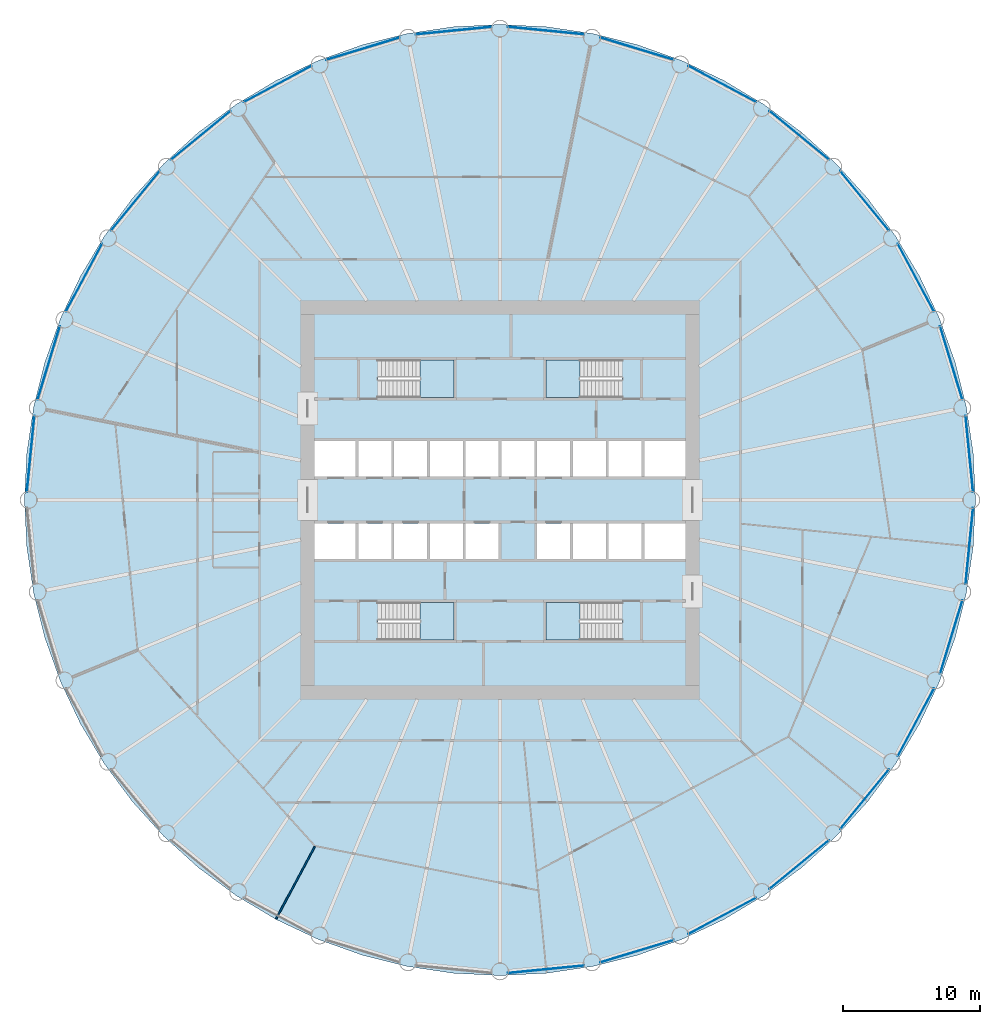
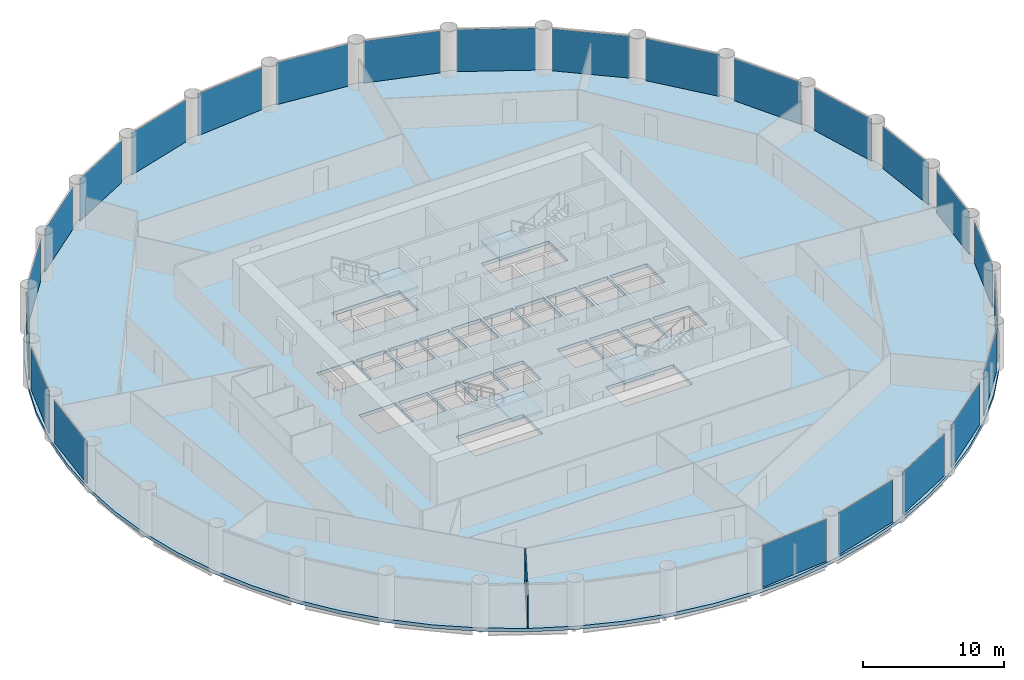
# One storey, part 3 of 9: 24 plates, 5 slabs, 1 wall, 28 elements without a shape of their own.
"""IFC4 building model written with IfcOpenShell, lengths in metres."""

from ifc_helpers import new_model, si_unit, direction, frame, frame_2d, origin, origin_2d, place, context, subcontext, project, spatial, polyline, rectangle, outline, extrude, material, layer, layer_set, type_object, element, aggregate, save


model = new_model("IFC4")

# Units and contexts
model_context = context("Model", 3, precision=1e-05, world=origin(), true_north=direction((0.0, 1.0)))
body_context = subcontext(model_context, "Body", "Model", "MODEL_VIEW")
ifc_project = project(units=[si_unit("LENGTHUNIT", "METRE"), si_unit("AREAUNIT", "SQUARE_METRE"), si_unit("VOLUMEUNIT", "CUBIC_METRE"), si_unit("PLANEANGLEUNIT", "RADIAN"), si_unit("MASSUNIT", "GRAM", prefix="KILO")], contexts=[model_context])

# Site, building, storey
site_placement = place(None, origin())
site = spatial("IfcSite", under=ifc_project, at=site_placement, CompositionType="ELEMENT")
building_placement = place(site_placement, origin())
building = spatial("IfcBuilding", under=site, at=building_placement, Name="Corvane Civic Tower", CompositionType="ELEMENT")
storey_placement = place(building_placement, frame((0.0, 0.0, 102.5)))
storey = spatial("IfcBuildingStorey", under=building, at=storey_placement, Name="L23", CompositionType="ELEMENT", Elevation=102.5)

# Slab
ifc_material_1 = material(Name="Concrete C40/50", Category="concrete")
ifc_layer_1 = layer(ifc_material_1, 0.300048828125)
ifc_layer_set_1 = layer_set([ifc_layer_1], Name="Concrete C40/50")
slab_type_1 = type_object("IfcSlabType", Name="FLOOR SLAB 300", PredefinedType="FLOOR", material=ifc_layer_set_1)
slab_1_placement = place(storey_placement, frame((0.0, 0.0, -0.300048828125)))
element("IfcSlab", 1, at=slab_1_placement, inside=storey, type_object=slab_type_1, Name="SLB-L23", PredefinedType="FLOOR", context=body_context, shape_type="SweptSolid", body=[
    extrude(outline(polyline([(0.0, 34.60009765625), (-3.391357421875, 34.433349609375), (-6.750244140625, 33.93505859375), (-10.0439453125, 33.110107421875), (-13.240966796875, 31.96630859375), (-16.310302734375, 30.514404296875), (-19.22265625, 28.768798828125), (-21.949951171875, 26.74609375), (-24.4658203125, 24.4658203125), (-26.74609375, 21.949951171875), (-28.768798828125, 19.22265625), (-30.514404296875, 16.310302734375), (-31.96630859375, 13.240966796875), (-33.110107421875, 10.0439453125), (-33.93505859375, 6.750244140625), (-34.433349609375, 3.391357421875), (-34.60009765625, 0.0), (-34.433349609375, -3.391357421875), (-33.93505859375, -6.750244140625), (-33.110107421875, -10.0439453125), (-31.96630859375, -13.240966796875), (-30.514404296875, -16.310302734375), (-28.768798828125, -19.22265625), (-26.74609375, -21.949951171875), (-24.4658203125, -24.4658203125), (-21.949951171875, -26.74609375), (-19.22265625, -28.768798828125), (-16.310302734375, -30.514404296875), (-13.240966796875, -31.96630859375), (-10.0439453125, -33.110107421875), (-6.750244140625, -33.93505859375), (-3.391357421875, -34.433349609375), (0.0, -34.60009765625), (3.391357421875, -34.433349609375), (6.750244140625, -33.93505859375), (10.0439453125, -33.110107421875), (13.240966796875, -31.96630859375), (16.310302734375, -30.514404296875), (19.22265625, -28.768798828125), (21.949951171875, -26.74609375), (24.4658203125, -24.4658203125), (26.74609375, -21.949951171875), (28.768798828125, -19.22265625), (30.514404296875, -16.310302734375), (31.96630859375, -13.240966796875), (33.110107421875, -10.0439453125), (33.93505859375, -6.750244140625), (34.433349609375, -3.391357421875), (34.60009765625, 0.0), (34.433349609375, 3.391357421875), (33.93505859375, 6.750244140625), (33.110107421875, 10.0439453125), (31.96630859375, 13.240966796875), (30.514404296875, 16.310302734375), (28.768798828125, 19.22265625), (26.74609375, 21.949951171875), (24.4658203125, 24.4658203125), (21.949951171875, 26.74609375), (19.22265625, 28.768798828125), (16.310302734375, 30.514404296875), (13.240966796875, 31.96630859375), (10.0439453125, 33.110107421875), (6.750244140625, 33.93505859375), (3.391357421875, 34.433349609375), (0.0, 34.60009765625)]), holes=[polyline([(-13.5, 4.300048828125), (-10.5, 4.300048828125), (-10.5, 1.699951171875), (-13.5, 1.699951171875), (-13.5, 4.300048828125)]), polyline([(-7.89990234375, 1.699951171875), (-10.300048828125, 1.699951171875), (-10.300048828125, 4.300048828125), (-7.89990234375, 4.300048828125), (-7.89990234375, 1.699951171875)]), polyline([(-7.699951171875, 4.300048828125), (-5.300048828125, 4.300048828125), (-5.300048828125, 1.699951171875), (-7.699951171875, 1.699951171875), (-7.699951171875, 4.300048828125)]), polyline([(-5.10009765625, 4.300048828125), (-2.699951171875, 4.300048828125), (-2.699951171875, 1.699951171875), (-5.10009765625, 1.699951171875), (-5.10009765625, 4.300048828125)]), polyline([(-2.5, 4.300048828125), (-0.10009765625, 4.300048828125), (-0.10009765625, 1.699951171875), (-2.5, 1.699951171875), (-2.5, 4.300048828125)]), polyline([(2.5, 1.699951171875), (0.10009765625, 1.699951171875), (0.10009765625, 4.300048828125), (2.5, 4.300048828125), (2.5, 1.699951171875)]), polyline([(5.10009765625, 1.699951171875), (2.699951171875, 1.699951171875), (2.699951171875, 4.300048828125), (5.10009765625, 4.300048828125), (5.10009765625, 1.699951171875)]), polyline([(5.300048828125, 4.300048828125), (7.699951171875, 4.300048828125), (7.699951171875, 1.699951171875), (5.300048828125, 1.699951171875), (5.300048828125, 4.300048828125)]), polyline([(7.89990234375, 4.300048828125), (10.300048828125, 4.300048828125), (10.300048828125, 1.699951171875), (7.89990234375, 1.699951171875), (7.89990234375, 4.300048828125)]), polyline([(13.5, 1.699951171875), (10.5, 1.699951171875), (10.5, 4.300048828125), (13.5, 4.300048828125), (13.5, 1.699951171875)]), polyline([(-13.5, -1.699951171875), (-10.5, -1.699951171875), (-10.5, -4.300048828125), (-13.5, -4.300048828125), (-13.5, -1.699951171875)]), polyline([(-10.300048828125, -1.699951171875), (-7.89990234375, -1.699951171875), (-7.89990234375, -4.300048828125), (-10.300048828125, -4.300048828125), (-10.300048828125, -1.699951171875)]), polyline([(-7.699951171875, -1.699951171875), (-5.300048828125, -1.699951171875), (-5.300048828125, -4.300048828125), (-7.699951171875, -4.300048828125), (-7.699951171875, -1.699951171875)]), polyline([(-5.10009765625, -1.699951171875), (-2.699951171875, -1.699951171875), (-2.699951171875, -4.300048828125), (-5.10009765625, -4.300048828125), (-5.10009765625, -1.699951171875)]), polyline([(-2.5, -1.699951171875), (-0.10009765625, -1.699951171875), (-0.10009765625, -4.300048828125), (-2.5, -4.300048828125), (-2.5, -1.699951171875)]), polyline([(2.699951171875, -1.699951171875), (5.10009765625, -1.699951171875), (5.10009765625, -4.300048828125), (2.699951171875, -4.300048828125), (2.699951171875, -1.699951171875)]), polyline([(5.300048828125, -4.300048828125), (5.300048828125, -1.699951171875), (7.699951171875, -1.699951171875), (7.699951171875, -4.300048828125), (5.300048828125, -4.300048828125)]), polyline([(7.89990234375, -4.300048828125), (7.89990234375, -1.699951171875), (10.300048828125, -1.699951171875), (10.300048828125, -4.300048828125), (7.89990234375, -4.300048828125)]), polyline([(13.5, -4.300048828125), (10.5, -4.300048828125), (10.5, -1.699951171875), (13.5, -1.699951171875), (13.5, -4.300048828125)]), polyline([(8.889892578125, 10.199951171875), (8.889892578125, 7.449951171875), (3.35009765625, 7.449951171875), (3.35009765625, 10.199951171875), (8.889892578125, 10.199951171875)]), polyline([(-8.889892578125, 7.449951171875), (-8.889892578125, 10.199951171875), (-3.35009765625, 10.199951171875), (-3.35009765625, 7.449951171875), (-8.889892578125, 7.449951171875)]), polyline([(8.889892578125, -7.449951171875), (8.889892578125, -10.199951171875), (3.35009765625, -10.199951171875), (3.35009765625, -7.449951171875), (8.889892578125, -7.449951171875)]), polyline([(-8.889892578125, -10.199951171875), (-8.889892578125, -7.449951171875), (-3.35009765625, -7.449951171875), (-3.35009765625, -10.199951171875), (-8.889892578125, -10.199951171875)])]), origin(), (0.0, 0.0, 1.0), 0.300048828125),
])

# Stair, slab
ifc_material_2 = material(Name="Concrete C40/50", Category="concrete")
stair_type = type_object("IfcStairType", Name="ST-STAIR-HALFTURN", PredefinedType="HALF_TURN_STAIR", material=ifc_material_2)
stair_1_placement = place(storey_placement, origin())
stair_1 = element("IfcStair", 2, at=stair_1_placement, inside=storey, type_object=stair_type, Name="L23 Exit stair ST1", PredefinedType="HALF_TURN_STAIR")
ifc_material_3 = material(Name="Concrete C40/50", Category="concrete")
ifc_layer_2 = layer(ifc_material_3, 0.199951171875)
ifc_layer_set_2 = layer_set([ifc_layer_2], Name="Concrete C40/50")
slab_type_2 = type_object("IfcSlabType", Name="ST-LANDING-RC", PredefinedType="LANDING", material=ifc_layer_set_2)
slab_2_placement = place(storey_placement, frame((0.0, 0.0, 1.800048828125)))
slab_2 = element("IfcSlab", 3, at=slab_2_placement, type_object=slab_type_2, Name="ST1 landing 1", PredefinedType="LANDING", context=body_context, shape_type="SweptSolid", body=[
    extrude(outline(polyline([(5.820068359375, 10.199951171875), (3.35009765625, 10.199951171875), (3.35009765625, 7.449951171875), (5.820068359375, 7.449951171875), (5.820068359375, 10.199951171875)])), origin(), (0.0, 0.0, 1.0), 0.199951171875),
])
aggregate(stair_1, [slab_2])

stair_2_placement = place(storey_placement, origin())
stair_2 = element("IfcStair", 4, at=stair_2_placement, inside=storey, type_object=stair_type, Name="L23 Exit stair ST2", PredefinedType="HALF_TURN_STAIR")
slab_3_placement = place(storey_placement, frame((0.0, 0.0, 1.800048828125)))
slab_3 = element("IfcSlab", 5, at=slab_3_placement, type_object=slab_type_2, Name="ST2 landing 1", PredefinedType="LANDING", context=body_context, shape_type="SweptSolid", body=[
    extrude(outline(polyline([(5.820068359375, -7.449951171875), (3.35009765625, -7.449951171875), (3.35009765625, -10.199951171875), (5.820068359375, -10.199951171875), (5.820068359375, -7.449951171875)])), origin(), (0.0, 0.0, 1.0), 0.199951171875),
])
aggregate(stair_2, [slab_3])

stair_3_placement = place(storey_placement, origin())
stair_3 = element("IfcStair", 6, at=stair_3_placement, inside=storey, type_object=stair_type, Name="L23 Exit stair ST3", PredefinedType="HALF_TURN_STAIR")
slab_4_placement = place(storey_placement, frame((0.0, 0.0, 1.800048828125)))
slab_4 = element("IfcSlab", 7, at=slab_4_placement, type_object=slab_type_2, Name="ST3 landing 1", PredefinedType="LANDING", context=body_context, shape_type="SweptSolid", body=[
    extrude(outline(polyline([(-5.820068359375, -10.199951171875), (-3.35009765625, -10.199951171875), (-3.35009765625, -7.449951171875), (-5.820068359375, -7.449951171875), (-5.820068359375, -10.199951171875)])), origin(), (0.0, 0.0, 1.0), 0.199951171875),
])
aggregate(stair_3, [slab_4])

stair_4_placement = place(storey_placement, origin())
stair_4 = element("IfcStair", 8, at=stair_4_placement, inside=storey, type_object=stair_type, Name="L23 Exit stair ST4", PredefinedType="HALF_TURN_STAIR")
slab_5_placement = place(storey_placement, frame((0.0, 0.0, 1.800048828125)))
slab_5 = element("IfcSlab", 9, at=slab_5_placement, type_object=slab_type_2, Name="ST4 landing 1", PredefinedType="LANDING", context=body_context, shape_type="SweptSolid", body=[
    extrude(outline(polyline([(-5.820068359375, 7.449951171875), (-3.35009765625, 7.449951171875), (-3.35009765625, 10.199951171875), (-5.820068359375, 10.199951171875), (-5.820068359375, 7.449951171875)])), origin(), (0.0, 0.0, 1.0), 0.199951171875),
])
aggregate(stair_4, [slab_5])

# Curtain wall, plate
ifc_material_4 = material(Name="Anodised aluminium bronze", Category="aluminium")
curtain_wall_type = type_object("IfcCurtainWallType", Name="TOWER CW-T1 STICK CURTAIN WALL", PredefinedType="NOTDEFINED", material=ifc_material_4)
curtain_wall_1_placement = place(storey_placement, origin())
curtain_wall_1 = element("IfcCurtainWall", 10, at=curtain_wall_1_placement, inside=storey, type_object=curtain_wall_type, Name="Curtain wall CW-T1 L23 bay 01", PredefinedType="NOTDEFINED")
ifc_material_5 = material(Name="Tinted glass", Category="glass")
ifc_layer_3 = layer(ifc_material_5, 0.035888671875)
ifc_layer_set_3 = layer_set([ifc_layer_3], Name="Tinted glass")
plate_type = type_object("IfcPlateType", Name="TOWER CW-T1 PANEL IGU36", PredefinedType="CURTAIN_PANEL", material=ifc_layer_set_3)
plate_1_placement = place(storey_placement, frame((3.36328125, 34.148681640625, 0.0), z_axis=(0.0, 0.0, 1.0), x_axis=(0.995183788169, -0.098026668644, 0.0)))
plate_1 = element("IfcPlate", 11, at=plate_1_placement, type_object=plate_type, Name="Glass panel CW-T1 L23 01.1", PredefinedType="CURTAIN_PANEL", context=body_context, shape_type="SweptSolid", body=[
    extrude(rectangle(XDim=5.58642578125, YDim=0.035888671875, at=origin_2d()), origin(), (0.0, 0.0, 1.0), 3.6298828125),
])
aggregate(curtain_wall_1, [plate_1])

curtain_wall_2_placement = place(storey_placement, origin())
curtain_wall_2 = element("IfcCurtainWall", 12, at=curtain_wall_2_placement, inside=storey, type_object=curtain_wall_type, Name="Curtain wall CW-T1 L23 bay 02", PredefinedType="NOTDEFINED")
plate_2_placement = place(storey_placement, frame((9.9609375, 32.83642578125, 0.0), z_axis=(0.0, 0.0, 1.0), x_axis=(0.956945991488, -0.290266032073, 0.0)))
plate_2 = element("IfcPlate", 13, at=plate_2_placement, type_object=plate_type, Name="Glass panel CW-T1 L23 02.1", PredefinedType="CURTAIN_PANEL", context=body_context, shape_type="SweptSolid", body=[
    extrude(rectangle(XDim=5.58642578125, YDim=0.035888671875, at=origin_2d()), origin(), (0.0, 0.0, 1.0), 3.6298828125),
])
aggregate(curtain_wall_2, [plate_2])

curtain_wall_3_placement = place(storey_placement, origin())
curtain_wall_3 = element("IfcCurtainWall", 14, at=curtain_wall_3_placement, inside=storey, type_object=curtain_wall_type, Name="Curtain wall CW-T1 L23 bay 03", PredefinedType="NOTDEFINED")
plate_3_placement = place(storey_placement, frame((16.175537109375, 30.26220703125, 0.0), z_axis=(0.0, 0.0, 1.0), x_axis=(0.881923642976, -0.471392286699, 0.0)))
plate_3 = element("IfcPlate", 15, at=plate_3_placement, type_object=plate_type, Name="Glass panel CW-T1 L23 03.1", PredefinedType="CURTAIN_PANEL", context=body_context, shape_type="SweptSolid", body=[
    extrude(rectangle(XDim=5.586669921875, YDim=0.035888671875, at=origin_2d()), origin(), (0.0, 0.0, 1.0), 3.6298828125),
])
aggregate(curtain_wall_3, [plate_3])

curtain_wall_4_placement = place(storey_placement, origin())
curtain_wall_4 = element("IfcCurtainWall", 16, at=curtain_wall_4_placement, inside=storey, type_object=curtain_wall_type, Name="Curtain wall CW-T1 L23 bay 04", PredefinedType="NOTDEFINED")
plate_4_placement = place(storey_placement, frame((21.7685546875, 26.525146484375, 0.0), z_axis=(0.0, 0.0, 1.0), x_axis=(0.773013419843, -0.63438966948, 0.0)))
plate_4 = element("IfcPlate", 17, at=plate_4_placement, type_object=plate_type, Name="Glass panel CW-T1 L23 04.1", PredefinedType="CURTAIN_PANEL", context=body_context, shape_type="SweptSolid", body=[
    extrude(rectangle(XDim=5.58642578125, YDim=0.035888671875, at=origin_2d()), origin(), (0.0, 0.0, 1.0), 3.6298828125),
])
aggregate(curtain_wall_4, [plate_4])

curtain_wall_5_placement = place(storey_placement, origin())
curtain_wall_5 = element("IfcCurtainWall", 18, at=curtain_wall_5_placement, inside=storey, type_object=curtain_wall_type, Name="Curtain wall CW-T1 L23 bay 05", PredefinedType="NOTDEFINED")
plate_5_placement = place(storey_placement, frame((26.525146484375, 21.7685546875, 0.0), z_axis=(0.0, 0.0, 1.0), x_axis=(0.63438966948, -0.773013419843, 0.0)))
plate_5 = element("IfcPlate", 19, at=plate_5_placement, type_object=plate_type, Name="Glass panel CW-T1 L23 05.1", PredefinedType="CURTAIN_PANEL", context=body_context, shape_type="SweptSolid", body=[
    extrude(rectangle(XDim=5.58642578125, YDim=0.035888671875, at=origin_2d()), origin(), (0.0, 0.0, 1.0), 3.6298828125),
])
aggregate(curtain_wall_5, [plate_5])

curtain_wall_6_placement = place(storey_placement, origin())
curtain_wall_6 = element("IfcCurtainWall", 20, at=curtain_wall_6_placement, inside=storey, type_object=curtain_wall_type, Name="Curtain wall CW-T1 L23 bay 06", PredefinedType="NOTDEFINED")
plate_6_placement = place(storey_placement, frame((30.26220703125, 16.175537109375, 0.0), z_axis=(0.0, 0.0, 1.0), x_axis=(0.471392286699, -0.881923642976, 0.0)))
plate_6 = element("IfcPlate", 21, at=plate_6_placement, type_object=plate_type, Name="Glass panel CW-T1 L23 06.1", PredefinedType="CURTAIN_PANEL", context=body_context, shape_type="SweptSolid", body=[
    extrude(rectangle(XDim=5.586669921875, YDim=0.035888671875, at=origin_2d()), origin(), (0.0, 0.0, 1.0), 3.6298828125),
])
aggregate(curtain_wall_6, [plate_6])

curtain_wall_7_placement = place(storey_placement, origin())
curtain_wall_7 = element("IfcCurtainWall", 22, at=curtain_wall_7_placement, inside=storey, type_object=curtain_wall_type, Name="Curtain wall CW-T1 L23 bay 07", PredefinedType="NOTDEFINED")
plate_7_placement = place(storey_placement, frame((32.83642578125, 9.9609375, 0.0), z_axis=(0.0, 0.0, 1.0), x_axis=(0.290266032073, -0.956945991488, 0.0)))
plate_7 = element("IfcPlate", 23, at=plate_7_placement, type_object=plate_type, Name="Glass panel CW-T1 L23 07.1", PredefinedType="CURTAIN_PANEL", context=body_context, shape_type="SweptSolid", body=[
    extrude(rectangle(XDim=5.58642578125, YDim=0.035888671875, at=origin_2d()), origin(), (0.0, 0.0, 1.0), 3.6298828125),
])
aggregate(curtain_wall_7, [plate_7])

curtain_wall_8_placement = place(storey_placement, origin())
curtain_wall_8 = element("IfcCurtainWall", 24, at=curtain_wall_8_placement, inside=storey, type_object=curtain_wall_type, Name="Curtain wall CW-T1 L23 bay 08", PredefinedType="NOTDEFINED")
plate_8_placement = place(storey_placement, frame((34.148681640625, 3.36328125, 0.0), z_axis=(0.0, 0.0, 1.0), x_axis=(0.098026668644, -0.995183788169, 0.0)))
plate_8 = element("IfcPlate", 25, at=plate_8_placement, type_object=plate_type, Name="Glass panel CW-T1 L23 08.1", PredefinedType="CURTAIN_PANEL", context=body_context, shape_type="SweptSolid", body=[
    extrude(rectangle(XDim=5.58642578125, YDim=0.035888671875, at=origin_2d()), origin(), (0.0, 0.0, 1.0), 3.6298828125),
])
aggregate(curtain_wall_8, [plate_8])

curtain_wall_9_placement = place(storey_placement, origin())
curtain_wall_9 = element("IfcCurtainWall", 26, at=curtain_wall_9_placement, inside=storey, type_object=curtain_wall_type, Name="Curtain wall CW-T1 L23 bay 09", PredefinedType="NOTDEFINED")
plate_9_placement = place(storey_placement, frame((34.148681640625, -3.36328125, 0.0), z_axis=(0.0, 0.0, 1.0), x_axis=(-0.098026668644, -0.995183788169, 0.0)))
plate_9 = element("IfcPlate", 27, at=plate_9_placement, type_object=plate_type, Name="Glass panel CW-T1 L23 09.1", PredefinedType="CURTAIN_PANEL", context=body_context, shape_type="SweptSolid", body=[
    extrude(rectangle(XDim=5.58642578125, YDim=0.035888671875, at=origin_2d()), origin(), (0.0, 0.0, 1.0), 3.6298828125),
])
aggregate(curtain_wall_9, [plate_9])

curtain_wall_10_placement = place(storey_placement, origin())
curtain_wall_10 = element("IfcCurtainWall", 28, at=curtain_wall_10_placement, inside=storey, type_object=curtain_wall_type, Name="Curtain wall CW-T1 L23 bay 10", PredefinedType="NOTDEFINED")
plate_10_placement = place(storey_placement, frame((32.83642578125, -9.9609375, 0.0), z_axis=(0.0, 0.0, 1.0), x_axis=(-0.290266032073, -0.956945991488, 0.0)))
plate_10 = element("IfcPlate", 29, at=plate_10_placement, type_object=plate_type, Name="Glass panel CW-T1 L23 10.1", PredefinedType="CURTAIN_PANEL", context=body_context, shape_type="SweptSolid", body=[
    extrude(rectangle(XDim=5.58642578125, YDim=0.035888671875, at=origin_2d()), origin(), (0.0, 0.0, 1.0), 3.6298828125),
])
aggregate(curtain_wall_10, [plate_10])

curtain_wall_11_placement = place(storey_placement, origin())
curtain_wall_11 = element("IfcCurtainWall", 30, at=curtain_wall_11_placement, inside=storey, type_object=curtain_wall_type, Name="Curtain wall CW-T1 L23 bay 11", PredefinedType="NOTDEFINED")
plate_11_placement = place(storey_placement, frame((30.26220703125, -16.175537109375, 0.0), z_axis=(0.0, 0.0, 1.0), x_axis=(-0.471392286699, -0.881923642976, 0.0)))
plate_11 = element("IfcPlate", 31, at=plate_11_placement, type_object=plate_type, Name="Glass panel CW-T1 L23 11.1", PredefinedType="CURTAIN_PANEL", context=body_context, shape_type="SweptSolid", body=[
    extrude(rectangle(XDim=5.586669921875, YDim=0.035888671875, at=origin_2d()), origin(), (0.0, 0.0, 1.0), 3.6298828125),
])
aggregate(curtain_wall_11, [plate_11])

curtain_wall_12_placement = place(storey_placement, origin())
curtain_wall_12 = element("IfcCurtainWall", 32, at=curtain_wall_12_placement, inside=storey, type_object=curtain_wall_type, Name="Curtain wall CW-T1 L23 bay 12", PredefinedType="NOTDEFINED")
plate_12_placement = place(storey_placement, frame((26.525146484375, -21.7685546875, 0.0), z_axis=(0.0, 0.0, 1.0), x_axis=(-0.63438966948, -0.773013419843, 0.0)))
plate_12 = element("IfcPlate", 33, at=plate_12_placement, type_object=plate_type, Name="Glass panel CW-T1 L23 12.1", PredefinedType="CURTAIN_PANEL", context=body_context, shape_type="SweptSolid", body=[
    extrude(rectangle(XDim=5.58642578125, YDim=0.035888671875, at=origin_2d()), origin(), (0.0, 0.0, 1.0), 3.6298828125),
])
aggregate(curtain_wall_12, [plate_12])

curtain_wall_13_placement = place(storey_placement, origin())
curtain_wall_13 = element("IfcCurtainWall", 34, at=curtain_wall_13_placement, inside=storey, type_object=curtain_wall_type, Name="Curtain wall CW-T1 L23 bay 13", PredefinedType="NOTDEFINED")
plate_13_placement = place(storey_placement, frame((21.7685546875, -26.525146484375, 0.0), z_axis=(0.0, 0.0, 1.0), x_axis=(-0.773013419843, -0.63438966948, 0.0)))
plate_13 = element("IfcPlate", 35, at=plate_13_placement, type_object=plate_type, Name="Glass panel CW-T1 L23 13.1", PredefinedType="CURTAIN_PANEL", context=body_context, shape_type="SweptSolid", body=[
    extrude(rectangle(XDim=5.58642578125, YDim=0.035888671875, at=origin_2d()), origin(), (0.0, 0.0, 1.0), 3.6298828125),
])
aggregate(curtain_wall_13, [plate_13])

curtain_wall_14_placement = place(storey_placement, origin())
curtain_wall_14 = element("IfcCurtainWall", 36, at=curtain_wall_14_placement, inside=storey, type_object=curtain_wall_type, Name="Curtain wall CW-T1 L23 bay 14", PredefinedType="NOTDEFINED")
plate_14_placement = place(storey_placement, frame((16.175537109375, -30.26220703125, 0.0), z_axis=(0.0, 0.0, 1.0), x_axis=(-0.881923642976, -0.471392286699, 0.0)))
plate_14 = element("IfcPlate", 37, at=plate_14_placement, type_object=plate_type, Name="Glass panel CW-T1 L23 14.1", PredefinedType="CURTAIN_PANEL", context=body_context, shape_type="SweptSolid", body=[
    extrude(rectangle(XDim=5.586669921875, YDim=0.035888671875, at=origin_2d()), origin(), (0.0, 0.0, 1.0), 3.6298828125),
])
aggregate(curtain_wall_14, [plate_14])

curtain_wall_15_placement = place(storey_placement, origin())
curtain_wall_15 = element("IfcCurtainWall", 38, at=curtain_wall_15_placement, inside=storey, type_object=curtain_wall_type, Name="Curtain wall CW-T1 L23 bay 15", PredefinedType="NOTDEFINED")
plate_15_placement = place(storey_placement, frame((9.9609375, -32.83642578125, 0.0), z_axis=(0.0, 0.0, 1.0), x_axis=(-0.956945991488, -0.290266032073, 0.0)))
plate_15 = element("IfcPlate", 39, at=plate_15_placement, type_object=plate_type, Name="Glass panel CW-T1 L23 15.1", PredefinedType="CURTAIN_PANEL", context=body_context, shape_type="SweptSolid", body=[
    extrude(rectangle(XDim=5.58642578125, YDim=0.035888671875, at=origin_2d()), origin(), (0.0, 0.0, 1.0), 3.6298828125),
])
aggregate(curtain_wall_15, [plate_15])

curtain_wall_16_placement = place(storey_placement, origin())
curtain_wall_16 = element("IfcCurtainWall", 40, at=curtain_wall_16_placement, inside=storey, type_object=curtain_wall_type, Name="Curtain wall CW-T1 L23 bay 16", PredefinedType="NOTDEFINED")
plate_16_placement = place(storey_placement, frame((3.36328125, -34.148681640625, 0.0), z_axis=(0.0, 0.0, 1.0), x_axis=(-0.995183788169, -0.098026668644, 0.0)))
plate_16 = element("IfcPlate", 41, at=plate_16_placement, type_object=plate_type, Name="Glass panel CW-T1 L23 16.1", PredefinedType="CURTAIN_PANEL", context=body_context, shape_type="SweptSolid", body=[
    extrude(rectangle(XDim=5.58642578125, YDim=0.035888671875, at=origin_2d()), origin(), (0.0, 0.0, 1.0), 3.6298828125),
])
aggregate(curtain_wall_16, [plate_16])

curtain_wall_17_placement = place(storey_placement, origin())
curtain_wall_17 = element("IfcCurtainWall", 42, at=curtain_wall_17_placement, inside=storey, type_object=curtain_wall_type, Name="Curtain wall CW-T1 L23 bay 25", PredefinedType="NOTDEFINED")
plate_17_placement = place(storey_placement, frame((-34.148681640625, 3.36328125, 0.0), z_axis=(0.0, 0.0, 1.0), x_axis=(0.098026668644, 0.995183788169, 0.0)))
plate_17 = element("IfcPlate", 43, at=plate_17_placement, type_object=plate_type, Name="Glass panel CW-T1 L23 25.1", PredefinedType="CURTAIN_PANEL", context=body_context, shape_type="SweptSolid", body=[
    extrude(rectangle(XDim=5.58642578125, YDim=0.035888671875, at=origin_2d()), origin(), (0.0, 0.0, 1.0), 3.6298828125),
])
aggregate(curtain_wall_17, [plate_17])

curtain_wall_18_placement = place(storey_placement, origin())
curtain_wall_18 = element("IfcCurtainWall", 44, at=curtain_wall_18_placement, inside=storey, type_object=curtain_wall_type, Name="Curtain wall CW-T1 L23 bay 26", PredefinedType="NOTDEFINED")
plate_18_placement = place(storey_placement, frame((-32.83642578125, 9.9609375, 0.0), z_axis=(0.0, 0.0, 1.0), x_axis=(0.290266032073, 0.956945991488, 0.0)))
plate_18 = element("IfcPlate", 45, at=plate_18_placement, type_object=plate_type, Name="Glass panel CW-T1 L23 26.1", PredefinedType="CURTAIN_PANEL", context=body_context, shape_type="SweptSolid", body=[
    extrude(rectangle(XDim=5.58642578125, YDim=0.035888671875, at=origin_2d()), origin(), (0.0, 0.0, 1.0), 3.6298828125),
])
aggregate(curtain_wall_18, [plate_18])

curtain_wall_19_placement = place(storey_placement, origin())
curtain_wall_19 = element("IfcCurtainWall", 46, at=curtain_wall_19_placement, inside=storey, type_object=curtain_wall_type, Name="Curtain wall CW-T1 L23 bay 27", PredefinedType="NOTDEFINED")
plate_19_placement = place(storey_placement, frame((-30.26220703125, 16.175537109375, 0.0), z_axis=(0.0, 0.0, 1.0), x_axis=(0.471392286699, 0.881923642976, 0.0)))
plate_19 = element("IfcPlate", 47, at=plate_19_placement, type_object=plate_type, Name="Glass panel CW-T1 L23 27.1", PredefinedType="CURTAIN_PANEL", context=body_context, shape_type="SweptSolid", body=[
    extrude(rectangle(XDim=5.586669921875, YDim=0.035888671875, at=origin_2d()), origin(), (0.0, 0.0, 1.0), 3.6298828125),
])
aggregate(curtain_wall_19, [plate_19])

curtain_wall_20_placement = place(storey_placement, origin())
curtain_wall_20 = element("IfcCurtainWall", 48, at=curtain_wall_20_placement, inside=storey, type_object=curtain_wall_type, Name="Curtain wall CW-T1 L23 bay 28", PredefinedType="NOTDEFINED")
plate_20_placement = place(storey_placement, frame((-26.525146484375, 21.7685546875, 0.0), z_axis=(0.0, 0.0, 1.0), x_axis=(0.63438966948, 0.773013419843, 0.0)))
plate_20 = element("IfcPlate", 49, at=plate_20_placement, type_object=plate_type, Name="Glass panel CW-T1 L23 28.1", PredefinedType="CURTAIN_PANEL", context=body_context, shape_type="SweptSolid", body=[
    extrude(rectangle(XDim=5.58642578125, YDim=0.035888671875, at=origin_2d()), origin(), (0.0, 0.0, 1.0), 3.6298828125),
])
aggregate(curtain_wall_20, [plate_20])

curtain_wall_21_placement = place(storey_placement, origin())
curtain_wall_21 = element("IfcCurtainWall", 50, at=curtain_wall_21_placement, inside=storey, type_object=curtain_wall_type, Name="Curtain wall CW-T1 L23 bay 29", PredefinedType="NOTDEFINED")
plate_21_placement = place(storey_placement, frame((-21.7685546875, 26.525146484375, 0.0), z_axis=(0.0, 0.0, 1.0), x_axis=(0.773013419843, 0.63438966948, 0.0)))
plate_21 = element("IfcPlate", 51, at=plate_21_placement, type_object=plate_type, Name="Glass panel CW-T1 L23 29.1", PredefinedType="CURTAIN_PANEL", context=body_context, shape_type="SweptSolid", body=[
    extrude(rectangle(XDim=5.58642578125, YDim=0.035888671875, at=origin_2d()), origin(), (0.0, 0.0, 1.0), 3.6298828125),
])
aggregate(curtain_wall_21, [plate_21])

curtain_wall_22_placement = place(storey_placement, origin())
curtain_wall_22 = element("IfcCurtainWall", 52, at=curtain_wall_22_placement, inside=storey, type_object=curtain_wall_type, Name="Curtain wall CW-T1 L23 bay 30", PredefinedType="NOTDEFINED")
plate_22_placement = place(storey_placement, frame((-16.175537109375, 30.26220703125, 0.0), z_axis=(0.0, 0.0, 1.0), x_axis=(0.881923642976, 0.471392286699, 0.0)))
plate_22 = element("IfcPlate", 53, at=plate_22_placement, type_object=plate_type, Name="Glass panel CW-T1 L23 30.1", PredefinedType="CURTAIN_PANEL", context=body_context, shape_type="SweptSolid", body=[
    extrude(rectangle(XDim=5.586669921875, YDim=0.035888671875, at=origin_2d()), origin(), (0.0, 0.0, 1.0), 3.6298828125),
])
aggregate(curtain_wall_22, [plate_22])

curtain_wall_23_placement = place(storey_placement, origin())
curtain_wall_23 = element("IfcCurtainWall", 54, at=curtain_wall_23_placement, inside=storey, type_object=curtain_wall_type, Name="Curtain wall CW-T1 L23 bay 31", PredefinedType="NOTDEFINED")
plate_23_placement = place(storey_placement, frame((-9.9609375, 32.83642578125, 0.0), z_axis=(0.0, 0.0, 1.0), x_axis=(0.956945991488, 0.290266032073, 0.0)))
plate_23 = element("IfcPlate", 55, at=plate_23_placement, type_object=plate_type, Name="Glass panel CW-T1 L23 31.1", PredefinedType="CURTAIN_PANEL", context=body_context, shape_type="SweptSolid", body=[
    extrude(rectangle(XDim=5.58642578125, YDim=0.035888671875, at=origin_2d()), origin(), (0.0, 0.0, 1.0), 3.6298828125),
])
aggregate(curtain_wall_23, [plate_23])

curtain_wall_24_placement = place(storey_placement, origin())
curtain_wall_24 = element("IfcCurtainWall", 56, at=curtain_wall_24_placement, inside=storey, type_object=curtain_wall_type, Name="Curtain wall CW-T1 L23 bay 32", PredefinedType="NOTDEFINED")
plate_24_placement = place(storey_placement, frame((-3.36328125, 34.148681640625, 0.0), z_axis=(0.0, 0.0, 1.0), x_axis=(0.995183788169, 0.098026668644, 0.0)))
plate_24 = element("IfcPlate", 57, at=plate_24_placement, type_object=plate_type, Name="Glass panel CW-T1 L23 32.1", PredefinedType="CURTAIN_PANEL", context=body_context, shape_type="SweptSolid", body=[
    extrude(rectangle(XDim=5.58642578125, YDim=0.035888671875, at=origin_2d()), origin(), (0.0, 0.0, 1.0), 3.6298828125),
])
aggregate(curtain_wall_24, [plate_24])

# Wall
ifc_material_6 = material(Name="Plasterboard")
ifc_layer_4 = layer(ifc_material_6, 0.10009765625)
ifc_layer_set_4 = layer_set([ifc_layer_4], Name="Plasterboard")
wall_type = type_object("IfcWallType", Name="Partition 100 plasterboard on studs", PredefinedType="PARTITIONING", material=ifc_layer_set_4)
wall_placement = place(storey_placement, frame((-16.286865234375, -30.470458984375, 0.0), z_axis=(0.0, 0.0, 1.0), x_axis=(0.471420045686, 0.881908805107, 0.0)))
element("IfcWall", 58, at=wall_placement, inside=storey, type_object=wall_type, Name="Partition L23.002", PredefinedType="PARTITIONING", context=body_context, shape_type="SweptSolid", body=[
    extrude(rectangle(XDim=5.97021484375, YDim=0.10009765625, at=frame_2d((2.985107421875, 0.0))), origin(), (0.0, 0.0, 1.0), 2.699951171875),
])

save(model, "model.ifc")
